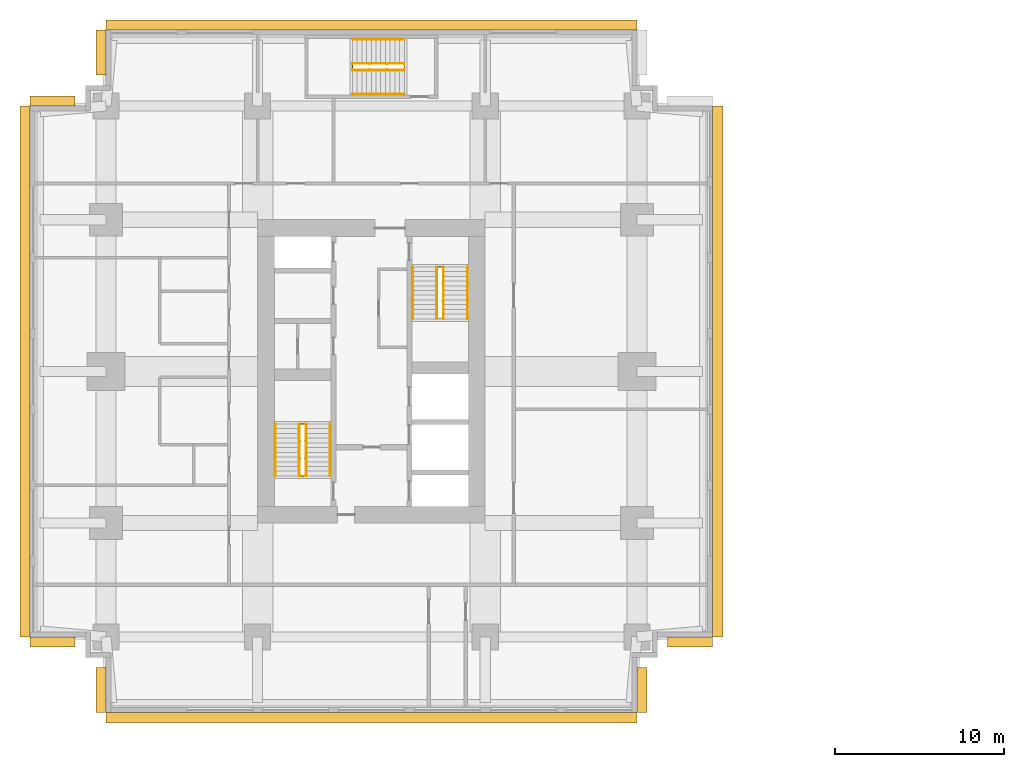
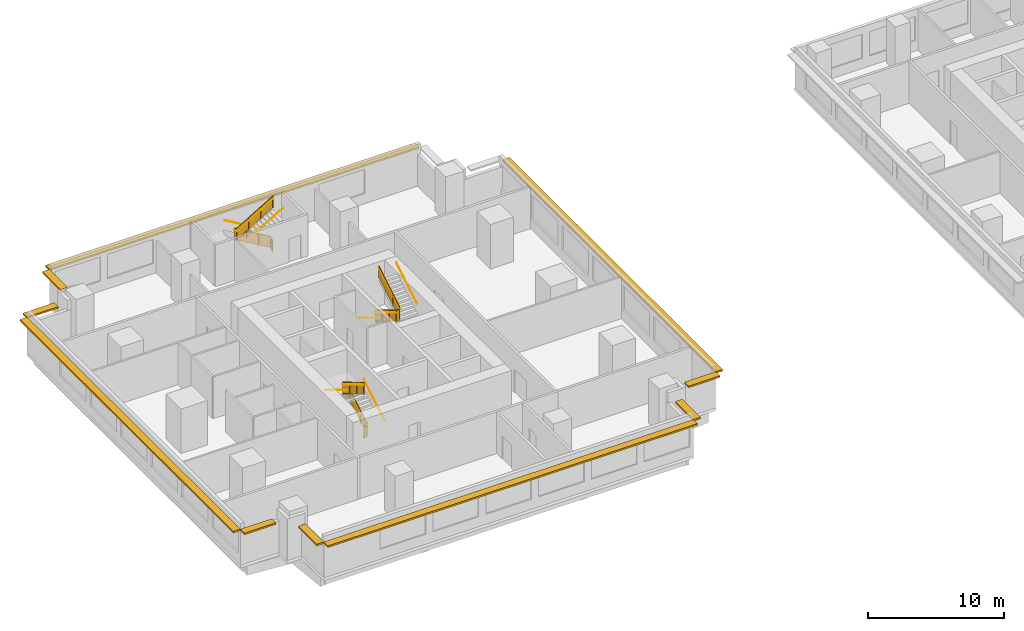
# One storey, part 10 of 11: 15 railings, 10 shading devices.
"""IFC4 building model written with IfcOpenShell, lengths in metres."""

import ifcopenshell
import ifcopenshell.guid

model = None  # the IFC model being written
_history = None  # IfcOwnerHistory: only IFC2X3 demands one
_inside = {}  # id of a spatial element -> (the spatial element, [elements in it])
_under = {}  # id of a project, library or spatial element -> (it, [spatial elements below it])
_declared = {}  # id of a project -> (the project, [libraries it declares])
_typed = {}  # id of a type object -> (the type object, [elements of that type])
_made_of = {}  # id of a material, layer set ... -> (it, [elements and type objects made of it])


def new_model(schema):
    """Start an empty IFC model of exactly this schema.

    Asked for "IFC4X3", IfcOpenShell would pick the latest addendum, in which some entities
    have other attributes; the version numbers below select the first issue.
    IFC2X3 requires an IfcOwnerHistory on every rooted entity: one is made here for all.
    """
    global model, _history
    if schema == "IFC4X3":
        model = ifcopenshell.file(schema_version=(4, 3, 0, 0))
    else:
        model = ifcopenshell.file(schema=schema)
    _inside.clear()
    _under.clear()
    _declared.clear()
    _typed.clear()
    _made_of.clear()
    _history = None
    if model.schema == "IFC2X3":
        org = make("IfcOrganization", Name="unknown")
        user = make(
            "IfcPersonAndOrganization",
            ThePerson=make("IfcPerson", FamilyName="unknown"),
            TheOrganization=org,
        )
        app = make(
            "IfcApplication",
            ApplicationDeveloper=org,
            Version="unknown",
            ApplicationFullName="unknown",
            ApplicationIdentifier="unknown",
        )
        _history = make(
            "IfcOwnerHistory",
            OwningUser=user,
            OwningApplication=app,
            ChangeAction="ADDED",
            CreationDate=0,
        )
    return model


def make(cls, **values):
    """One entity of the class cls with the attributes given. An attribute that is None is left unset."""
    return model.create_entity(
        cls, **{name: value for name, value in values.items() if value is not None}
    )


def rooted(cls, **values):
    """An entity with a GlobalId (a new one), such as an element, a storey or a relation."""
    return make(cls, GlobalId=ifcopenshell.guid.new(), OwnerHistory=_history, **values)


def si_unit(unit_type, name, prefix=None):
    """IfcSIUnit, for example si_unit("LENGTHUNIT", "METRE", prefix="MILLI")."""
    return make("IfcSIUnit", UnitType=unit_type, Prefix=prefix, Name=name)


def assignment(units):
    """IfcUnitAssignment: the units of a project."""
    return None if units is None else make("IfcUnitAssignment", Units=units)


def point(xyz):
    """IfcCartesianPoint."""
    return None if xyz is None else make("IfcCartesianPoint", Coordinates=xyz)


def direction(xyz):
    """IfcDirection."""
    return None if xyz is None else make("IfcDirection", DirectionRatios=xyz)


def frame(location, z_axis=None, x_axis=None):
    """IfcAxis2Placement3D, a coordinate frame: its origin and axes. An axis left out is left unset."""
    return make(
        "IfcAxis2Placement3D",
        Location=point(location),
        Axis=direction(z_axis),
        RefDirection=direction(x_axis),
    )


def frame_2d(location, x_axis=None):
    """IfcAxis2Placement2D, a coordinate frame in the plane: its origin and x axis."""
    return make(
        "IfcAxis2Placement2D", Location=point(location), RefDirection=direction(x_axis)
    )


def origin():
    """The frame at (0, 0, 0) with its axes left unset."""
    return frame((0.0, 0.0, 0.0))


def origin_2d():
    """The frame at (0, 0) in the plane with its x axis left unset."""
    return frame_2d((0.0, 0.0))


def place(relative_to, where):
    """IfcLocalPlacement: puts the frame where relative to a parent placement (None: the world)."""
    return make(
        "IfcLocalPlacement", PlacementRelTo=relative_to, RelativePlacement=where
    )


def context(
    kind, dimensions, precision=None, world=None, true_north=None, identifier=None
):
    """IfcGeometricRepresentationContext, for example the 3D "Model" context."""
    return make(
        "IfcGeometricRepresentationContext",
        ContextIdentifier=identifier,
        ContextType=kind,
        CoordinateSpaceDimension=dimensions,
        Precision=precision,
        WorldCoordinateSystem=world,
        TrueNorth=true_north,
    )


def subcontext(parent, identifier, kind, view, scale=None):
    """IfcGeometricRepresentationSubContext, for example "Body" below "Model"."""
    return make(
        "IfcGeometricRepresentationSubContext",
        ContextIdentifier=identifier,
        ContextType=kind,
        ParentContext=parent,
        TargetScale=scale,
        TargetView=view,
    )


def project(units=None, contexts=None):
    """IfcProject with its units and contexts."""
    return rooted(
        "IfcProject",
        Name="project",
        RepresentationContexts=contexts,
        UnitsInContext=assignment(units),
    )


def spatial(cls, under=None, at=None, **own):
    """A site, building, storey or space (cls), placed at a placement, below another one or the project."""
    s = rooted(cls, ObjectPlacement=at, **own)
    if under is not None:
        _under.setdefault(under.id(), (under, []))[1].append(s)
    return s


def polyline(points):
    """IfcPolyline through the points."""
    return make("IfcPolyline", Points=[point(p) for p in points])


def profile(cls, at=None, kind="AREA", **sizes):
    """A parametric profile (cls). Its sizes go by their IFC names, for example OverallWidth=200.0."""
    return make(cls, ProfileType=kind, Position=at, **sizes)


def rectangle(**sizes):
    """IfcRectangleProfileDef."""
    return profile("IfcRectangleProfileDef", **sizes)


def circle(**sizes):
    """IfcCircleProfileDef."""
    return profile("IfcCircleProfileDef", **sizes)


def outline(outer, holes=None, kind="AREA"):
    """IfcArbitraryClosedProfileDef: a profile drawn as a closed curve; with holes, ...WithVoids."""
    if holes is None:
        return make("IfcArbitraryClosedProfileDef", ProfileType=kind, OuterCurve=outer)
    return make(
        "IfcArbitraryProfileDefWithVoids",
        ProfileType=kind,
        OuterCurve=outer,
        InnerCurves=holes,
    )


def extrude(swept, where, along, depth):
    """IfcExtrudedAreaSolid: the profile swept, set in the frame where, extruded along a direction by depth."""
    return make(
        "IfcExtrudedAreaSolid",
        SweptArea=swept,
        Position=where,
        ExtrudedDirection=direction(along),
        Depth=depth,
    )


def shape(context_of_items, identifier, shape_type, items):
    """IfcShapeRepresentation: the items that make up one representation, for example the "Body"."""
    return make(
        "IfcShapeRepresentation",
        ContextOfItems=context_of_items,
        RepresentationIdentifier=identifier,
        RepresentationType=shape_type,
        Items=items,
    )


def material(Name=None, Category=None):
    """IfcMaterial."""
    return make("IfcMaterial", Name=Name, Category=Category)


def layer(
    of_material, thickness, ventilated=None, Name=None, Category=None, Priority=None
):
    """IfcMaterialLayer: one layer of a wall or slab, of a material (None: an air gap)."""
    return make(
        "IfcMaterialLayer",
        Material=of_material,
        LayerThickness=thickness,
        IsVentilated=ventilated,
        Name=Name,
        Category=Category,
        Priority=Priority,
    )


def layer_set(layers, Name=None):
    """IfcMaterialLayerSet."""
    return make("IfcMaterialLayerSet", MaterialLayers=layers, LayerSetName=Name)


def made_of(thing, what):
    """Note that an element or type object is made of a material, layer set ...; save() writes the relation."""
    if what is not None:
        _made_of.setdefault(what.id(), (what, []))[1].append(thing)
    return thing


def type_object(cls, material=None, **own):
    """A type object (cls), such as IfcWallType, which elements share."""
    return made_of(rooted(cls, **own), material)


def element(
    cls,
    number,
    at=None,
    inside=None,
    cuts=None,
    type_object=None,
    material=None,
    context=None,
    identifier="Body",
    shape_type=None,
    held_by="IfcProductDefinitionShape",
    body=None,
    shapes=None,
    **own,
):
    """One element of the class cls, such as IfcWall. Its Tag is "e" and its number.

    at: its placement. inside: the storey or other place that contains it. cuts: it is an
    opening in that element (IfcRelVoidsElement). A single representation is given by context,
    identifier, shape_type and body (its items); several are given by shapes. held_by: the class
    of the entity that holds the representations. save() writes the other relations.
    """
    e = rooted(cls, Tag="e%d" % number, ObjectPlacement=at, **own)
    if body is not None:
        shapes = [shape(context, identifier, shape_type, body)]
    if shapes is not None:
        e.Representation = make(held_by, Representations=shapes)
    if inside is not None:
        _inside.setdefault(inside.id(), (inside, []))[1].append(e)
    if cuts is not None:
        rooted(
            "IfcRelVoidsElement", RelatingBuildingElement=cuts, RelatedOpeningElement=e
        )
    if type_object is not None:
        _typed.setdefault(type_object.id(), (type_object, []))[1].append(e)
    return made_of(e, material)


def aggregate(whole, parts):
    """IfcRelAggregates: a whole, such as a stair, and the parts it consists of."""
    return rooted("IfcRelAggregates", RelatingObject=whole, RelatedObjects=parts)


def save(model, path):
    """Write the relations noted so far, then the file.

    IfcRelAggregates (storeys below a building ...), IfcRelContainedInSpatialStructure (elements
    in a storey), IfcRelDefinesByType, IfcRelAssociatesMaterial and IfcRelDeclares: one each for
    every whole, place, type object, material and project.
    """
    for whole, parts in _under.values():
        aggregate(whole, parts)
    for where, things in _inside.values():
        rooted(
            "IfcRelContainedInSpatialStructure",
            RelatedElements=things,
            RelatingStructure=where,
        )
    for kind, things in _typed.values():
        rooted("IfcRelDefinesByType", RelatedObjects=things, RelatingType=kind)
    for what, things in _made_of.values():
        rooted("IfcRelAssociatesMaterial", RelatedObjects=things, RelatingMaterial=what)
    for by, libraries in _declared.values():
        rooted("IfcRelDeclares", RelatingContext=by, RelatedDefinitions=libraries)
    model.write(path)


model = new_model("IFC4")

# Units and contexts
model_context = context("Model", 3, precision=1e-05, world=origin(), true_north=direction((0.0, 1.0)))
body_context = subcontext(model_context, "Body", "Model", "MODEL_VIEW")
ifc_project = project(units=[si_unit("LENGTHUNIT", "METRE"), si_unit("AREAUNIT", "SQUARE_METRE"), si_unit("VOLUMEUNIT", "CUBIC_METRE"), si_unit("PLANEANGLEUNIT", "RADIAN"), si_unit("MASSUNIT", "GRAM", prefix="KILO")], contexts=[model_context])

# Site, building, storey
site_placement = place(None, origin())
site = spatial("IfcSite", under=ifc_project, at=site_placement, CompositionType="ELEMENT")
building_placement = place(site_placement, origin())
building = spatial("IfcBuilding", under=site, at=building_placement, Name="Namib Vertical Campus", CompositionType="ELEMENT")
storey_placement = place(building_placement, frame((0.0, 0.0, 209.0)))
storey = spatial("IfcBuildingStorey", under=building, at=storey_placement, Name="L49", CompositionType="ELEMENT", Elevation=209.0)

# Railings
ifc_material_1 = material(Name="Steel handrail", Category="steel")
railing_type_1 = type_object("IfcRailingType", Name="Handrail 900", PredefinedType="HANDRAIL", material=ifc_material_1)
railing_1_placement = place(storey_placement, frame((17.800048828125, 14.050048828125, 0.166748046875)))
element("IfcRailing", 1, at=railing_1_placement, inside=storey, type_object=railing_type_1, Name="Handrail HR1 A-S1 L49 1", PredefinedType="HANDRAIL", context=body_context, shape_type="SweptSolid", body=[
    extrude(circle(Radius=0.02392578125, at=origin_2d()), frame((0.0, 0.0, 0.8759765625), z_axis=(0.0, 0.859290745958, 0.51148745235), x_axis=(-1.0, 0.0, 0.0)), (0.0, 0.0, 1.0), 3.584228515625),
    extrude(circle(Radius=0.008056640625, at=origin_2d()), frame((0.0, 0.0, 0.8759765625), z_axis=(1.0, 0.0, 0.0), x_axis=(0.0, 0.0, 1.0)), (0.0, 0.0, 1.0), 0.050048828125),
    extrude(circle(Radius=0.008056640625, at=origin_2d()), frame((0.0, 1.026611328125, 1.48681640625), z_axis=(1.0, 0.0, 0.0), x_axis=(0.0, 0.0, 1.0)), (0.0, 0.0, 1.0), 0.050048828125),
    extrude(circle(Radius=0.008056640625, at=origin_2d()), frame((0.0, 2.05322265625, 2.09814453125), z_axis=(1.0, 0.0, 0.0), x_axis=(0.0, 0.0, 1.0)), (0.0, 0.0, 1.0), 0.050048828125),
    extrude(circle(Radius=0.008056640625, at=origin_2d()), frame((0.0, 3.079833984375, 2.708984375), z_axis=(1.0, 0.0, 0.0), x_axis=(0.0, 0.0, 1.0)), (0.0, 0.0, 1.0), 0.050048828125),
])
railing_2_placement = place(storey_placement, frame((14.550048828125, 17.1298828125, 2.166748046875)))
element("IfcRailing", 2, at=railing_2_placement, inside=storey, type_object=railing_type_1, Name="Handrail HR1 A-S1 L49 2", PredefinedType="HANDRAIL", context=body_context, shape_type="SweptSolid", body=[
    extrude(circle(Radius=0.02392578125, at=origin_2d()), frame((0.0, 0.0, 0.8759765625), z_axis=(0.0, -0.859290745958, 0.51148745235), x_axis=(1.0, 0.0, 0.0)), (0.0, 0.0, 1.0), 3.584228515625),
    extrude(circle(Radius=0.008056640625, at=origin_2d()), frame((0.0, 0.0, 0.8759765625), z_axis=(-1.0, 0.0, 0.0), x_axis=(0.0, 0.0, 1.0)), (0.0, 0.0, 1.0), 0.050048828125),
    extrude(circle(Radius=0.008056640625, at=origin_2d()), frame((0.0, -1.026611328125, 1.48681640625), z_axis=(-1.0, 0.0, 0.0), x_axis=(0.0, 0.0, 1.0)), (0.0, 0.0, 1.0), 0.050048828125),
    extrude(circle(Radius=0.008056640625, at=origin_2d()), frame((0.0, -2.05322265625, 2.09814453125), z_axis=(-1.0, 0.0, 0.0), x_axis=(0.0, 0.0, 1.0)), (0.0, 0.0, 1.0), 0.050048828125),
    extrude(circle(Radius=0.008056640625, at=origin_2d()), frame((0.0, -3.079833984375, 2.708984375), z_axis=(-1.0, 0.0, 0.0), x_axis=(0.0, 0.0, 1.0)), (0.0, 0.0, 1.0), 0.050048828125),
])
railing_3_placement = place(storey_placement, frame((16.375, 14.050048828125, 0.166748046875)))
element("IfcRailing", 3, at=railing_3_placement, inside=storey, type_object=railing_type_1, Name="Handrail HR1 A-S1 L49 1 at the well", PredefinedType="HANDRAIL", context=body_context, shape_type="SweptSolid", body=[
    extrude(circle(Radius=0.02392578125, at=origin_2d()), frame((0.0, 0.0, 0.8759765625), z_axis=(0.0, 0.859290745958, 0.51148745235), x_axis=(-1.0, 0.0, 0.0)), (0.0, 0.0, 1.0), 3.584228515625),
    extrude(circle(Radius=0.008056640625, at=origin_2d()), frame((0.0, 0.0, 0.8759765625), z_axis=(-1.0, 0.0, 0.0), x_axis=(0.0, 0.0, 1.0)), (0.0, 0.0, 1.0), 0.0400390625),
    extrude(circle(Radius=0.008056640625, at=origin_2d()), frame((0.0, 1.026611328125, 1.48681640625), z_axis=(-1.0, 0.0, 0.0), x_axis=(0.0, 0.0, 1.0)), (0.0, 0.0, 1.0), 0.0400390625),
    extrude(circle(Radius=0.008056640625, at=origin_2d()), frame((0.0, 2.05322265625, 2.09814453125), z_axis=(-1.0, 0.0, 0.0), x_axis=(0.0, 0.0, 1.0)), (0.0, 0.0, 1.0), 0.0400390625),
    extrude(circle(Radius=0.008056640625, at=origin_2d()), frame((0.0, 3.079833984375, 2.708984375), z_axis=(-1.0, 0.0, 0.0), x_axis=(0.0, 0.0, 1.0)), (0.0, 0.0, 1.0), 0.0400390625),
])
railing_4_placement = place(storey_placement, frame((15.97509765625, 17.1298828125, 2.166748046875)))
element("IfcRailing", 4, at=railing_4_placement, inside=storey, type_object=railing_type_1, Name="Handrail HR1 A-S1 L49 2 at the well", PredefinedType="HANDRAIL", context=body_context, shape_type="SweptSolid", body=[
    extrude(circle(Radius=0.02392578125, at=origin_2d()), frame((0.0, 0.0, 0.8759765625), z_axis=(0.0, -0.859290745958, 0.51148745235), x_axis=(1.0, 0.0, 0.0)), (0.0, 0.0, 1.0), 3.584228515625),
    extrude(circle(Radius=0.008056640625, at=origin_2d()), frame((0.0, 0.0, 0.8759765625), z_axis=(1.0, 0.0, 0.0), x_axis=(0.0, 0.0, 1.0)), (0.0, 0.0, 1.0), 0.0400390625),
    extrude(circle(Radius=0.008056640625, at=origin_2d()), frame((0.0, -1.026611328125, 1.48681640625), z_axis=(1.0, 0.0, 0.0), x_axis=(0.0, 0.0, 1.0)), (0.0, 0.0, 1.0), 0.0400390625),
    extrude(circle(Radius=0.008056640625, at=origin_2d()), frame((0.0, -2.05322265625, 2.09814453125), z_axis=(1.0, 0.0, 0.0), x_axis=(0.0, 0.0, 1.0)), (0.0, 0.0, 1.0), 0.0400390625),
    extrude(circle(Radius=0.008056640625, at=origin_2d()), frame((0.0, -3.079833984375, 2.708984375), z_axis=(1.0, 0.0, 0.0), x_axis=(0.0, 0.0, 1.0)), (0.0, 0.0, 1.0), 0.0400390625),
])
railing_5_placement = place(storey_placement, frame((22.699951171875, 26.449951171875, 0.166748046875)))
element("IfcRailing", 5, at=railing_5_placement, inside=storey, type_object=railing_type_1, Name="Handrail HR1 A-S2 L49 1", PredefinedType="HANDRAIL", context=body_context, shape_type="SweptSolid", body=[
    extrude(circle(Radius=0.02392578125, at=origin_2d()), frame((0.0, 0.0, 0.8759765625), z_axis=(0.0, -0.859290745958, 0.51148745235), x_axis=(1.0, 0.0, 0.0)), (0.0, 0.0, 1.0), 3.584228515625),
    extrude(circle(Radius=0.008056640625, at=origin_2d()), frame((0.0, 0.0, 0.8759765625), z_axis=(-1.0, 0.0, 0.0), x_axis=(0.0, 0.0, 1.0)), (0.0, 0.0, 1.0), 0.050048828125),
    extrude(circle(Radius=0.008056640625, at=origin_2d()), frame((0.0, -1.026611328125, 1.48681640625), z_axis=(-1.0, 0.0, 0.0), x_axis=(0.0, 0.0, 1.0)), (0.0, 0.0, 1.0), 0.050048828125),
    extrude(circle(Radius=0.008056640625, at=origin_2d()), frame((0.0, -2.05322265625, 2.09814453125), z_axis=(-1.0, 0.0, 0.0), x_axis=(0.0, 0.0, 1.0)), (0.0, 0.0, 1.0), 0.050048828125),
    extrude(circle(Radius=0.008056640625, at=origin_2d()), frame((0.0, -3.079833984375, 2.708984375), z_axis=(-1.0, 0.0, 0.0), x_axis=(0.0, 0.0, 1.0)), (0.0, 0.0, 1.0), 0.050048828125),
])
railing_6_placement = place(storey_placement, frame((25.949951171875, 23.3701171875, 2.166748046875)))
element("IfcRailing", 6, at=railing_6_placement, inside=storey, type_object=railing_type_1, Name="Handrail HR1 A-S2 L49 2", PredefinedType="HANDRAIL", context=body_context, shape_type="SweptSolid", body=[
    extrude(circle(Radius=0.02392578125, at=origin_2d()), frame((0.0, 0.0, 0.8759765625), z_axis=(0.0, 0.859290745958, 0.51148745235), x_axis=(-1.0, 0.0, 0.0)), (0.0, 0.0, 1.0), 3.584228515625),
    extrude(circle(Radius=0.008056640625, at=origin_2d()), frame((0.0, 0.0, 0.8759765625), z_axis=(1.0, 0.0, 0.0), x_axis=(0.0, 0.0, 1.0)), (0.0, 0.0, 1.0), 0.050048828125),
    extrude(circle(Radius=0.008056640625, at=origin_2d()), frame((0.0, 1.026611328125, 1.48681640625), z_axis=(1.0, 0.0, 0.0), x_axis=(0.0, 0.0, 1.0)), (0.0, 0.0, 1.0), 0.050048828125),
    extrude(circle(Radius=0.008056640625, at=origin_2d()), frame((0.0, 2.05322265625, 2.09814453125), z_axis=(1.0, 0.0, 0.0), x_axis=(0.0, 0.0, 1.0)), (0.0, 0.0, 1.0), 0.050048828125),
    extrude(circle(Radius=0.008056640625, at=origin_2d()), frame((0.0, 3.079833984375, 2.708984375), z_axis=(1.0, 0.0, 0.0), x_axis=(0.0, 0.0, 1.0)), (0.0, 0.0, 1.0), 0.050048828125),
])
railing_7_placement = place(storey_placement, frame((24.125, 26.449951171875, 0.166748046875)))
element("IfcRailing", 7, at=railing_7_placement, inside=storey, type_object=railing_type_1, Name="Handrail HR1 A-S2 L49 1 at the well", PredefinedType="HANDRAIL", context=body_context, shape_type="SweptSolid", body=[
    extrude(circle(Radius=0.02392578125, at=origin_2d()), frame((0.0, 0.0, 0.8759765625), z_axis=(0.0, -0.859290745958, 0.51148745235), x_axis=(1.0, 0.0, 0.0)), (0.0, 0.0, 1.0), 3.584228515625),
    extrude(circle(Radius=0.008056640625, at=origin_2d()), frame((0.0, 0.0, 0.8759765625), z_axis=(1.0, 0.0, 0.0), x_axis=(0.0, 0.0, 1.0)), (0.0, 0.0, 1.0), 0.0400390625),
    extrude(circle(Radius=0.008056640625, at=origin_2d()), frame((0.0, -1.026611328125, 1.48681640625), z_axis=(1.0, 0.0, 0.0), x_axis=(0.0, 0.0, 1.0)), (0.0, 0.0, 1.0), 0.0400390625),
    extrude(circle(Radius=0.008056640625, at=origin_2d()), frame((0.0, -2.05322265625, 2.09814453125), z_axis=(1.0, 0.0, 0.0), x_axis=(0.0, 0.0, 1.0)), (0.0, 0.0, 1.0), 0.0400390625),
    extrude(circle(Radius=0.008056640625, at=origin_2d()), frame((0.0, -3.079833984375, 2.708984375), z_axis=(1.0, 0.0, 0.0), x_axis=(0.0, 0.0, 1.0)), (0.0, 0.0, 1.0), 0.0400390625),
])
railing_8_placement = place(storey_placement, frame((24.52490234375, 23.3701171875, 2.166748046875)))
element("IfcRailing", 8, at=railing_8_placement, inside=storey, type_object=railing_type_1, Name="Handrail HR1 A-S2 L49 2 at the well", PredefinedType="HANDRAIL", context=body_context, shape_type="SweptSolid", body=[
    extrude(circle(Radius=0.02392578125, at=origin_2d()), frame((0.0, 0.0, 0.8759765625), z_axis=(0.0, 0.859290745958, 0.51148745235), x_axis=(-1.0, 0.0, 0.0)), (0.0, 0.0, 1.0), 3.584228515625),
    extrude(circle(Radius=0.008056640625, at=origin_2d()), frame((0.0, 0.0, 0.8759765625), z_axis=(-1.0, 0.0, 0.0), x_axis=(0.0, 0.0, 1.0)), (0.0, 0.0, 1.0), 0.0400390625),
    extrude(circle(Radius=0.008056640625, at=origin_2d()), frame((0.0, 1.026611328125, 1.48681640625), z_axis=(-1.0, 0.0, 0.0), x_axis=(0.0, 0.0, 1.0)), (0.0, 0.0, 1.0), 0.0400390625),
    extrude(circle(Radius=0.008056640625, at=origin_2d()), frame((0.0, 2.05322265625, 2.09814453125), z_axis=(-1.0, 0.0, 0.0), x_axis=(0.0, 0.0, 1.0)), (0.0, 0.0, 1.0), 0.0400390625),
    extrude(circle(Radius=0.008056640625, at=origin_2d()), frame((0.0, 3.079833984375, 2.708984375), z_axis=(-1.0, 0.0, 0.0), x_axis=(0.0, 0.0, 1.0)), (0.0, 0.0, 1.0), 0.0400390625),
])
railing_9_placement = place(storey_placement, frame((22.199951171875, 39.949951171875, 0.166748046875)))
element("IfcRailing", 9, at=railing_9_placement, inside=storey, type_object=railing_type_1, Name="Handrail HR1 A-S3 L49 1", PredefinedType="HANDRAIL", context=body_context, shape_type="SweptSolid", body=[
    extrude(circle(Radius=0.02392578125, at=origin_2d()), frame((0.0, 0.0, 0.8759765625), z_axis=(-0.859290745958, 0.0, 0.51148745235), x_axis=(0.0, -1.0, 0.0)), (0.0, 0.0, 1.0), 3.584228515625),
    extrude(circle(Radius=0.008056640625, at=origin_2d()), frame((0.0, 0.0, 0.8759765625), z_axis=(0.0, 1.0, 0.0), x_axis=(0.0, 0.0, 1.0)), (0.0, 0.0, 1.0), 0.050048828125),
    extrude(circle(Radius=0.008056640625, at=origin_2d()), frame((-1.026611328125, 0.0, 1.48681640625), z_axis=(0.0, 1.0, 0.0), x_axis=(0.0, 0.0, 1.0)), (0.0, 0.0, 1.0), 0.050048828125),
    extrude(circle(Radius=0.008056640625, at=origin_2d()), frame((-2.05322265625, 0.0, 2.09814453125), z_axis=(0.0, 1.0, 0.0), x_axis=(0.0, 0.0, 1.0)), (0.0, 0.0, 1.0), 0.050048828125),
    extrude(circle(Radius=0.008056640625, at=origin_2d()), frame((-3.079833984375, 0.0, 2.708984375), z_axis=(0.0, 1.0, 0.0), x_axis=(0.0, 0.0, 1.0)), (0.0, 0.0, 1.0), 0.050048828125),
])
railing_10_placement = place(storey_placement, frame((19.1201171875, 36.699951171875, 2.166748046875)))
element("IfcRailing", 10, at=railing_10_placement, inside=storey, type_object=railing_type_1, Name="Handrail HR1 A-S3 L49 2", PredefinedType="HANDRAIL", context=body_context, shape_type="SweptSolid", body=[
    extrude(circle(Radius=0.02392578125, at=origin_2d()), frame((0.0, 0.0, 0.8759765625), z_axis=(0.859290745958, 0.0, 0.51148745235), x_axis=(0.0, 1.0, 0.0)), (0.0, 0.0, 1.0), 3.584228515625),
    extrude(circle(Radius=0.008056640625, at=origin_2d()), frame((0.0, 0.0, 0.8759765625), z_axis=(0.0, -1.0, 0.0), x_axis=(0.0, 0.0, 1.0)), (0.0, 0.0, 1.0), 0.050048828125),
    extrude(circle(Radius=0.008056640625, at=origin_2d()), frame((1.026611328125, 0.0, 1.48681640625), z_axis=(0.0, -1.0, 0.0), x_axis=(0.0, 0.0, 1.0)), (0.0, 0.0, 1.0), 0.050048828125),
    extrude(circle(Radius=0.008056640625, at=origin_2d()), frame((2.05322265625, 0.0, 2.09814453125), z_axis=(0.0, -1.0, 0.0), x_axis=(0.0, 0.0, 1.0)), (0.0, 0.0, 1.0), 0.050048828125),
    extrude(circle(Radius=0.008056640625, at=origin_2d()), frame((3.079833984375, 0.0, 2.708984375), z_axis=(0.0, -1.0, 0.0), x_axis=(0.0, 0.0, 1.0)), (0.0, 0.0, 1.0), 0.050048828125),
])
railing_11_placement = place(storey_placement, frame((22.199951171875, 38.52490234375, 0.166748046875)))
element("IfcRailing", 11, at=railing_11_placement, inside=storey, type_object=railing_type_1, Name="Handrail HR1 A-S3 L49 1 at the well", PredefinedType="HANDRAIL", context=body_context, shape_type="SweptSolid", body=[
    extrude(circle(Radius=0.02392578125, at=origin_2d()), frame((0.0, 0.0, 0.8759765625), z_axis=(-0.859290745958, 0.0, 0.51148745235), x_axis=(0.0, -1.0, 0.0)), (0.0, 0.0, 1.0), 3.584228515625),
    extrude(circle(Radius=0.008056640625, at=origin_2d()), frame((0.0, 0.0, 0.8759765625), z_axis=(0.0, -1.0, 0.0), x_axis=(0.0, 0.0, 1.0)), (0.0, 0.0, 1.0), 0.0400390625),
    extrude(circle(Radius=0.008056640625, at=origin_2d()), frame((-1.026611328125, 0.0, 1.48681640625), z_axis=(0.0, -1.0, 0.0), x_axis=(0.0, 0.0, 1.0)), (0.0, 0.0, 1.0), 0.0400390625),
    extrude(circle(Radius=0.008056640625, at=origin_2d()), frame((-2.05322265625, 0.0, 2.09814453125), z_axis=(0.0, -1.0, 0.0), x_axis=(0.0, 0.0, 1.0)), (0.0, 0.0, 1.0), 0.0400390625),
    extrude(circle(Radius=0.008056640625, at=origin_2d()), frame((-3.079833984375, 0.0, 2.708984375), z_axis=(0.0, -1.0, 0.0), x_axis=(0.0, 0.0, 1.0)), (0.0, 0.0, 1.0), 0.0400390625),
])
railing_12_placement = place(storey_placement, frame((19.1201171875, 38.125, 2.166748046875)))
element("IfcRailing", 12, at=railing_12_placement, inside=storey, type_object=railing_type_1, Name="Handrail HR1 A-S3 L49 2 at the well", PredefinedType="HANDRAIL", context=body_context, shape_type="SweptSolid", body=[
    extrude(circle(Radius=0.02392578125, at=origin_2d()), frame((0.0, 0.0, 0.8759765625), z_axis=(0.859290745958, 0.0, 0.51148745235), x_axis=(0.0, 1.0, 0.0)), (0.0, 0.0, 1.0), 3.584228515625),
    extrude(circle(Radius=0.008056640625, at=origin_2d()), frame((0.0, 0.0, 0.8759765625), z_axis=(0.0, 1.0, 0.0), x_axis=(0.0, 0.0, 1.0)), (0.0, 0.0, 1.0), 0.0400390625),
    extrude(circle(Radius=0.008056640625, at=origin_2d()), frame((1.026611328125, 0.0, 1.48681640625), z_axis=(0.0, 1.0, 0.0), x_axis=(0.0, 0.0, 1.0)), (0.0, 0.0, 1.0), 0.0400390625),
    extrude(circle(Radius=0.008056640625, at=origin_2d()), frame((2.05322265625, 0.0, 2.09814453125), z_axis=(0.0, 1.0, 0.0), x_axis=(0.0, 0.0, 1.0)), (0.0, 0.0, 1.0), 0.0400390625),
    extrude(circle(Radius=0.008056640625, at=origin_2d()), frame((3.079833984375, 0.0, 2.708984375), z_axis=(0.0, 1.0, 0.0), x_axis=(0.0, 0.0, 1.0)), (0.0, 0.0, 1.0), 0.0400390625),
])
ifc_material_2 = material(Name="Steel balustrade", Category="steel")
railing_type_2 = type_object("IfcRailingType", Name="Stair guard 1100", PredefinedType="GUARDRAIL", material=ifc_material_2)
railing_13_placement = place(storey_placement, frame((16.02490234375, 14.050048828125, 0.0)))
element("IfcRailing", 13, at=railing_13_placement, inside=storey, type_object=railing_type_2, Name="Stair guard GR1 A-S1 L49", PredefinedType="GUARDRAIL", context=body_context, shape_type="SweptSolid", body=[
    extrude(circle(Radius=0.02392578125, at=origin_2d()), frame((0.0, 0.0, 1.076171875), z_axis=(1.0, 0.0, 0.0), x_axis=(0.0, 1.0, 0.0)), (0.0, 0.0, 1.0), 0.300048828125),
    extrude(outline(polyline([(0.02099609375, 0.050048828125), (0.279052734375, 0.050048828125), (0.279052734375, 1.052001953125), (0.02099609375, 1.052001953125), (0.02099609375, 0.050048828125)])), frame((0.0, 0.010009765625, 0.0), z_axis=(0.0, -1.0, 0.0), x_axis=(1.0, 0.0, 0.0)), (0.0, 0.0, 1.0), 0.02001953125),
    extrude(circle(Radius=0.02392578125, at=origin_2d()), frame((0.300048828125, 0.0, 1.076171875), z_axis=(0.0, 0.0, 1.0), x_axis=(1.0, 0.0, 0.0)), (0.0, 0.0, 1.0), 0.166748046875),
    extrude(circle(Radius=0.02392578125, at=origin_2d()), frame((0.300048828125, 0.0, 1.24267578125), z_axis=(0.0, 0.859290745958, 0.51148745235), x_axis=(-1.0, 0.0, 0.0)), (0.0, 0.0, 1.0), 3.584228515625),
    extrude(outline(polyline([(0.02099609375, 0.0625), (3.058837890625, 1.870849609375), (3.058837890625, 2.872802734375), (0.02099609375, 1.064453125), (0.02099609375, 0.0625)])), frame((0.2900390625, 0.0, 0.166748046875), z_axis=(1.0, 0.0, 0.0), x_axis=(0.0, 1.0, 0.0)), (0.0, 0.0, 1.0), 0.02001953125),
    extrude(circle(Radius=0.02392578125, at=origin_2d()), frame((0.300048828125, 3.079833984375, 3.076171875), z_axis=(-1.0, 0.0, 0.0), x_axis=(0.0, -1.0, 0.0)), (0.0, 0.0, 1.0), 0.300048828125),
    extrude(outline(polyline([(0.02099609375, 0.050048828125), (0.279052734375, 0.050048828125), (0.279052734375, 1.052001953125), (0.02099609375, 1.052001953125), (0.02099609375, 0.050048828125)])), frame((0.300048828125, 3.06982421875, 2.0), z_axis=(0.0, 1.0, 0.0), x_axis=(-1.0, 0.0, 0.0)), (0.0, 0.0, 1.0), 0.02001953125),
    extrude(circle(Radius=0.02392578125, at=origin_2d()), frame((0.0, 3.079833984375, 3.076171875), z_axis=(0.0, 0.0, 1.0), x_axis=(1.0, 0.0, 0.0)), (0.0, 0.0, 1.0), 0.166748046875),
    extrude(circle(Radius=0.02392578125, at=origin_2d()), frame((0.0, 3.079833984375, 3.24267578125), z_axis=(0.0, -0.859290745958, 0.51148745235), x_axis=(1.0, 0.0, 0.0)), (0.0, 0.0, 1.0), 3.584228515625),
    extrude(outline(polyline([(0.02099609375, 0.0625), (3.058837890625, 1.870849609375), (3.058837890625, 2.872802734375), (0.02099609375, 1.064453125), (0.02099609375, 0.0625)])), frame((0.010009765625, 3.079833984375, 2.166748046875), z_axis=(-1.0, 0.0, 0.0), x_axis=(0.0, -1.0, 0.0)), (0.0, 0.0, 1.0), 0.02001953125),
    extrude(circle(Radius=0.02392578125, at=origin_2d()), frame((0.0, 0.0, 5.076171875), z_axis=(0.0, -1.0, 0.0), x_axis=(1.0, 0.0, 0.0)), (0.0, 0.0, 1.0), 0.050048828125),
    extrude(outline(polyline([(0.02099609375, 0.050048828125), (0.029052734375, 0.050048828125), (0.029052734375, 1.052001953125), (0.02099609375, 1.052001953125), (0.02099609375, 0.050048828125)])), frame((0.010009765625, 0.0, 4.0), z_axis=(-1.0, 0.0, 0.0), x_axis=(0.0, -1.0, 0.0)), (0.0, 0.0, 1.0), 0.02001953125),
    extrude(circle(Radius=0.02099609375, at=origin_2d()), origin(), (0.0, 0.0, 1.0), 1.052001953125),
    extrude(circle(Radius=0.02099609375, at=origin_2d()), frame((0.300048828125, 0.0, 0.166748046875)), (0.0, 0.0, 1.0), 1.052001953125),
    extrude(circle(Radius=0.02099609375, at=origin_2d()), frame((0.300048828125, 1.026611328125, 0.666748046875)), (0.0, 0.0, 1.0), 1.1630859375),
    extrude(circle(Radius=0.02099609375, at=origin_2d()), frame((0.300048828125, 2.05322265625, 1.33349609375)), (0.0, 0.0, 1.0), 1.107421875),
    extrude(circle(Radius=0.02099609375, at=origin_2d()), frame((0.300048828125, 3.079833984375, 2.0)), (0.0, 0.0, 1.0), 1.052001953125),
    extrude(circle(Radius=0.02099609375, at=origin_2d()), frame((0.0, 3.079833984375, 2.166748046875)), (0.0, 0.0, 1.0), 1.052001953125),
    extrude(circle(Radius=0.02099609375, at=origin_2d()), frame((0.0, 2.05322265625, 2.666748046875)), (0.0, 0.0, 1.0), 1.1630859375),
    extrude(circle(Radius=0.02099609375, at=origin_2d()), frame((0.0, 1.026611328125, 3.33349609375)), (0.0, 0.0, 1.0), 1.107421875),
    extrude(circle(Radius=0.02099609375, at=origin_2d()), frame((0.0, 0.0, 4.0)), (0.0, 0.0, 1.0), 1.052001953125),
    extrude(circle(Radius=0.02099609375, at=origin_2d()), frame((0.0, -0.050048828125, 4.0)), (0.0, 0.0, 1.0), 1.052001953125),
])
railing_14_placement = place(storey_placement, frame((24.47509765625, 26.449951171875, 0.0)))
element("IfcRailing", 14, at=railing_14_placement, inside=storey, type_object=railing_type_2, Name="Stair guard GR1 A-S2 L49", PredefinedType="GUARDRAIL", context=body_context, shape_type="SweptSolid", body=[
    extrude(circle(Radius=0.02392578125, at=origin_2d()), frame((0.0, 0.0, 1.076171875), z_axis=(-1.0, 0.0, 0.0), x_axis=(0.0, -1.0, 0.0)), (0.0, 0.0, 1.0), 0.300048828125),
    extrude(outline(polyline([(0.02099609375, 0.050048828125), (0.279052734375, 0.050048828125), (0.279052734375, 1.052001953125), (0.02099609375, 1.052001953125), (0.02099609375, 0.050048828125)])), frame((0.0, -0.010009765625, 0.0), z_axis=(0.0, 1.0, 0.0), x_axis=(-1.0, 0.0, 0.0)), (0.0, 0.0, 1.0), 0.02001953125),
    extrude(circle(Radius=0.02392578125, at=origin_2d()), frame((-0.300048828125, 0.0, 1.076171875), z_axis=(0.0, 0.0, 1.0), x_axis=(1.0, 0.0, 0.0)), (0.0, 0.0, 1.0), 0.166748046875),
    extrude(circle(Radius=0.02392578125, at=origin_2d()), frame((-0.300048828125, 0.0, 1.24267578125), z_axis=(0.0, -0.859290745958, 0.51148745235), x_axis=(1.0, 0.0, 0.0)), (0.0, 0.0, 1.0), 3.584228515625),
    extrude(outline(polyline([(0.02099609375, 0.0625), (3.058837890625, 1.870849609375), (3.058837890625, 2.872802734375), (0.02099609375, 1.064453125), (0.02099609375, 0.0625)])), frame((-0.2900390625, 0.0, 0.166748046875), z_axis=(-1.0, 0.0, 0.0), x_axis=(0.0, -1.0, 0.0)), (0.0, 0.0, 1.0), 0.02001953125),
    extrude(circle(Radius=0.02392578125, at=origin_2d()), frame((-0.300048828125, -3.079833984375, 3.076171875), z_axis=(1.0, 0.0, 0.0), x_axis=(0.0, 1.0, 0.0)), (0.0, 0.0, 1.0), 0.300048828125),
    extrude(outline(polyline([(0.02099609375, 0.050048828125), (0.279052734375, 0.050048828125), (0.279052734375, 1.052001953125), (0.02099609375, 1.052001953125), (0.02099609375, 0.050048828125)])), frame((-0.300048828125, -3.06982421875, 2.0), z_axis=(0.0, -1.0, 0.0), x_axis=(1.0, 0.0, 0.0)), (0.0, 0.0, 1.0), 0.02001953125),
    extrude(circle(Radius=0.02392578125, at=origin_2d()), frame((0.0, -3.079833984375, 3.076171875), z_axis=(0.0, 0.0, 1.0), x_axis=(1.0, 0.0, 0.0)), (0.0, 0.0, 1.0), 0.166748046875),
    extrude(circle(Radius=0.02392578125, at=origin_2d()), frame((0.0, -3.079833984375, 3.24267578125), z_axis=(0.0, 0.859290745958, 0.51148745235), x_axis=(-1.0, 0.0, 0.0)), (0.0, 0.0, 1.0), 3.584228515625),
    extrude(outline(polyline([(0.02099609375, 0.0625), (3.058837890625, 1.870849609375), (3.058837890625, 2.872802734375), (0.02099609375, 1.064453125), (0.02099609375, 0.0625)])), frame((-0.010009765625, -3.079833984375, 2.166748046875), z_axis=(1.0, 0.0, 0.0), x_axis=(0.0, 1.0, 0.0)), (0.0, 0.0, 1.0), 0.02001953125),
    extrude(circle(Radius=0.02392578125, at=origin_2d()), frame((0.0, 0.0, 5.076171875), z_axis=(0.0, 1.0, 0.0), x_axis=(-1.0, 0.0, 0.0)), (0.0, 0.0, 1.0), 0.050048828125),
    extrude(outline(polyline([(0.02099609375, 0.050048828125), (0.029052734375, 0.050048828125), (0.029052734375, 1.052001953125), (0.02099609375, 1.052001953125), (0.02099609375, 0.050048828125)])), frame((-0.010009765625, 0.0, 4.0), z_axis=(1.0, 0.0, 0.0), x_axis=(0.0, 1.0, 0.0)), (0.0, 0.0, 1.0), 0.02001953125),
    extrude(circle(Radius=0.02099609375, at=origin_2d()), origin(), (0.0, 0.0, 1.0), 1.052001953125),
    extrude(circle(Radius=0.02099609375, at=origin_2d()), frame((-0.300048828125, 0.0, 0.166748046875)), (0.0, 0.0, 1.0), 1.052001953125),
    extrude(circle(Radius=0.02099609375, at=origin_2d()), frame((-0.300048828125, -1.026611328125, 0.666748046875)), (0.0, 0.0, 1.0), 1.1630859375),
    extrude(circle(Radius=0.02099609375, at=origin_2d()), frame((-0.300048828125, -2.05322265625, 1.33349609375)), (0.0, 0.0, 1.0), 1.107421875),
    extrude(circle(Radius=0.02099609375, at=origin_2d()), frame((-0.300048828125, -3.079833984375, 2.0)), (0.0, 0.0, 1.0), 1.052001953125),
    extrude(circle(Radius=0.02099609375, at=origin_2d()), frame((0.0, -3.079833984375, 2.166748046875)), (0.0, 0.0, 1.0), 1.052001953125),
    extrude(circle(Radius=0.02099609375, at=origin_2d()), frame((0.0, -2.05322265625, 2.666748046875)), (0.0, 0.0, 1.0), 1.1630859375),
    extrude(circle(Radius=0.02099609375, at=origin_2d()), frame((0.0, -1.026611328125, 3.33349609375)), (0.0, 0.0, 1.0), 1.107421875),
    extrude(circle(Radius=0.02099609375, at=origin_2d()), frame((0.0, 0.0, 4.0)), (0.0, 0.0, 1.0), 1.052001953125),
    extrude(circle(Radius=0.02099609375, at=origin_2d()), frame((0.0, 0.050048828125, 4.0)), (0.0, 0.0, 1.0), 1.052001953125),
])
railing_15_placement = place(storey_placement, frame((22.199951171875, 38.175048828125, 0.0)))
element("IfcRailing", 15, at=railing_15_placement, inside=storey, type_object=railing_type_2, Name="Stair guard GR1 A-S3 L49", PredefinedType="GUARDRAIL", context=body_context, shape_type="SweptSolid", body=[
    extrude(circle(Radius=0.02392578125, at=origin_2d()), frame((0.0, 0.0, 1.076171875), z_axis=(0.0, 1.0, 0.0), x_axis=(-1.0, 0.0, 0.0)), (0.0, 0.0, 1.0), 0.300048828125),
    extrude(outline(polyline([(0.02099609375, 0.050048828125), (0.279052734375, 0.050048828125), (0.279052734375, 1.052001953125), (0.02099609375, 1.052001953125), (0.02099609375, 0.050048828125)])), frame((-0.010009765625, 0.0, 0.0), z_axis=(1.0, 0.0, 0.0), x_axis=(0.0, 1.0, 0.0)), (0.0, 0.0, 1.0), 0.02001953125),
    extrude(circle(Radius=0.02392578125, at=origin_2d()), frame((0.0, 0.300048828125, 1.076171875), z_axis=(0.0, 0.0, 1.0), x_axis=(1.0, 0.0, 0.0)), (0.0, 0.0, 1.0), 0.166748046875),
    extrude(circle(Radius=0.02392578125, at=origin_2d()), frame((0.0, 0.300048828125, 1.24267578125), z_axis=(-0.859290745958, 0.0, 0.51148745235), x_axis=(0.0, -1.0, 0.0)), (0.0, 0.0, 1.0), 3.584228515625),
    extrude(outline(polyline([(0.02099609375, 0.0625), (3.058837890625, 1.870849609375), (3.058837890625, 2.872802734375), (0.02099609375, 1.064453125), (0.02099609375, 0.0625)])), frame((0.0, 0.2900390625, 0.166748046875), z_axis=(0.0, 1.0, 0.0), x_axis=(-1.0, 0.0, 0.0)), (0.0, 0.0, 1.0), 0.02001953125),
    extrude(circle(Radius=0.02392578125, at=origin_2d()), frame((-3.079833984375, 0.300048828125, 3.076171875), z_axis=(0.0, -1.0, 0.0), x_axis=(1.0, 0.0, 0.0)), (0.0, 0.0, 1.0), 0.300048828125),
    extrude(outline(polyline([(0.02099609375, 0.050048828125), (0.279052734375, 0.050048828125), (0.279052734375, 1.052001953125), (0.02099609375, 1.052001953125), (0.02099609375, 0.050048828125)])), frame((-3.06982421875, 0.300048828125, 2.0), z_axis=(-1.0, 0.0, 0.0), x_axis=(0.0, -1.0, 0.0)), (0.0, 0.0, 1.0), 0.02001953125),
    extrude(circle(Radius=0.02392578125, at=origin_2d()), frame((-3.079833984375, 0.0, 3.076171875), z_axis=(0.0, 0.0, 1.0), x_axis=(1.0, 0.0, 0.0)), (0.0, 0.0, 1.0), 0.166748046875),
    extrude(circle(Radius=0.02392578125, at=origin_2d()), frame((-3.079833984375, 0.0, 3.24267578125), z_axis=(0.859290745958, 0.0, 0.51148745235), x_axis=(0.0, 1.0, 0.0)), (0.0, 0.0, 1.0), 3.584228515625),
    extrude(outline(polyline([(0.02099609375, 0.0625), (3.058837890625, 1.870849609375), (3.058837890625, 2.872802734375), (0.02099609375, 1.064453125), (0.02099609375, 0.0625)])), frame((-3.079833984375, 0.010009765625, 2.166748046875), z_axis=(0.0, -1.0, 0.0), x_axis=(1.0, 0.0, 0.0)), (0.0, 0.0, 1.0), 0.02001953125),
    extrude(circle(Radius=0.02392578125, at=origin_2d()), frame((0.0, 0.0, 5.076171875), z_axis=(1.0, 0.0, 0.0), x_axis=(0.0, 1.0, 0.0)), (0.0, 0.0, 1.0), 0.050048828125),
    extrude(outline(polyline([(0.02099609375, 0.050048828125), (0.029052734375, 0.050048828125), (0.029052734375, 1.052001953125), (0.02099609375, 1.052001953125), (0.02099609375, 0.050048828125)])), frame((0.0, 0.010009765625, 4.0), z_axis=(0.0, -1.0, 0.0), x_axis=(1.0, 0.0, 0.0)), (0.0, 0.0, 1.0), 0.02001953125),
    extrude(circle(Radius=0.02099609375, at=origin_2d()), origin(), (0.0, 0.0, 1.0), 1.052001953125),
    extrude(circle(Radius=0.02099609375, at=origin_2d()), frame((0.0, 0.300048828125, 0.166748046875)), (0.0, 0.0, 1.0), 1.052001953125),
    extrude(circle(Radius=0.02099609375, at=origin_2d()), frame((-1.026611328125, 0.300048828125, 0.666748046875)), (0.0, 0.0, 1.0), 1.1630859375),
    extrude(circle(Radius=0.02099609375, at=origin_2d()), frame((-2.05322265625, 0.300048828125, 1.33349609375)), (0.0, 0.0, 1.0), 1.107421875),
    extrude(circle(Radius=0.02099609375, at=origin_2d()), frame((-3.079833984375, 0.300048828125, 2.0)), (0.0, 0.0, 1.0), 1.052001953125),
    extrude(circle(Radius=0.02099609375, at=origin_2d()), frame((-3.079833984375, 0.0, 2.166748046875)), (0.0, 0.0, 1.0), 1.052001953125),
    extrude(circle(Radius=0.02099609375, at=origin_2d()), frame((-2.05322265625, 0.0, 2.666748046875)), (0.0, 0.0, 1.0), 1.1630859375),
    extrude(circle(Radius=0.02099609375, at=origin_2d()), frame((-1.026611328125, 0.0, 3.33349609375)), (0.0, 0.0, 1.0), 1.107421875),
    extrude(circle(Radius=0.02099609375, at=origin_2d()), frame((0.0, 0.0, 4.0)), (0.0, 0.0, 1.0), 1.052001953125),
    extrude(circle(Radius=0.02099609375, at=origin_2d()), frame((0.050048828125, 0.0, 4.0)), (0.0, 0.0, 1.0), 1.052001953125),
])

# Shading devices
ifc_material_3 = material(Name="Concrete C40/50 precast", Category="concrete")
ifc_layer = layer(ifc_material_3, 0.14990234375)
ifc_layer_set = layer_set([ifc_layer], Name="Concrete C40/50 precast")
shading_device_type = type_object("IfcShadingDeviceType", Name="Sunshade hood 600", PredefinedType="SHUTTER", material=ifc_layer_set)
shading_device_1_placement = place(storey_placement, frame((20.25, -0.300048828125, 3.10009765625), z_axis=(0.0, 0.0, 1.0), x_axis=(1.0, 0.0, 0.0)))
element("IfcShadingDevice", 16, at=shading_device_1_placement, inside=storey, type_object=shading_device_type, Name="Sunshade SH3 L49 1", PredefinedType="SHUTTER", context=body_context, shape_type="SweptSolid", body=[
    extrude(rectangle(XDim=31.5, YDim=0.60009765625, at=origin_2d()), origin(), (0.0, 0.0, 1.0), 0.14990234375),
])
for number, where, z_axis, x_axis, name in (
    (17, (36.300048828125, 1.33740234375, 3.10009765625), (0.0, 0.0, 1.0), (0.0, 1.0, 0.0), "Sunshade SH3 L49 2"),
    (18, (39.16259765625, 4.199951171875, 3.10009765625), (0.0, 0.0, 1.0), (1.0, 0.0, 0.0), "Sunshade SH3 L49 5"),
):
    element("IfcShadingDevice", number, at=place(storey_placement, frame(where, z_axis=z_axis, x_axis=x_axis)), inside=storey, type_object=shading_device_type, Name=name, PredefinedType="SHUTTER", context=body_context, shape_type="SweptSolid", body=[
        extrude(rectangle(XDim=2.675048828125, YDim=0.60009765625, at=origin_2d()), origin(), (0.0, 0.0, 1.0), 0.14990234375),
    ])
for number, where, z_axis, x_axis, name in (
    (19, (40.800048828125, 20.25, 3.10009765625), (0.0, 0.0, 1.0), (0.0, 1.0, 0.0), "Sunshade SH3 L49 6"),
    (20, (20.25, 40.800048828125, 3.10009765625), (0.0, 0.0, 1.0), (-1.0, 0.0, 0.0), "Sunshade SH3 L49 11"),
):
    element("IfcShadingDevice", number, at=place(storey_placement, frame(where, z_axis=z_axis, x_axis=x_axis)), inside=storey, type_object=shading_device_type, Name=name, PredefinedType="SHUTTER", context=body_context, shape_type="SweptSolid", body=[
        extrude(rectangle(XDim=31.5, YDim=0.60009765625, at=origin_2d()), origin(), (0.0, 0.0, 1.0), 0.14990234375),
    ])
for number, where, z_axis, x_axis, name in (
    (21, (4.199951171875, 39.16259765625, 3.10009765625), (0.0, 0.0, 1.0), (0.0, -1.0, 0.0), "Sunshade SH3 L49 12"),
    (22, (1.33740234375, 36.300048828125, 3.10009765625), (0.0, 0.0, 1.0), (-1.0, 0.0, 0.0), "Sunshade SH3 L49 15"),
):
    element("IfcShadingDevice", number, at=place(storey_placement, frame(where, z_axis=z_axis, x_axis=x_axis)), inside=storey, type_object=shading_device_type, Name=name, PredefinedType="SHUTTER", context=body_context, shape_type="SweptSolid", body=[
        extrude(rectangle(XDim=2.675048828125, YDim=0.60009765625, at=origin_2d()), origin(), (0.0, 0.0, 1.0), 0.14990234375),
    ])
shading_device_2_placement = place(storey_placement, frame((-0.300048828125, 20.25, 3.10009765625), z_axis=(0.0, 0.0, 1.0), x_axis=(0.0, -1.0, 0.0)))
element("IfcShadingDevice", 23, at=shading_device_2_placement, inside=storey, type_object=shading_device_type, Name="Sunshade SH3 L49 16", PredefinedType="SHUTTER", context=body_context, shape_type="SweptSolid", body=[
    extrude(rectangle(XDim=31.5, YDim=0.60009765625, at=origin_2d()), origin(), (0.0, 0.0, 1.0), 0.14990234375),
])
for number, where, z_axis, x_axis, name in (
    (24, (1.33740234375, 4.199951171875, 3.10009765625), (0.0, 0.0, 1.0), (1.0, 0.0, 0.0), "Sunshade SH3 L49 17"),
    (25, (4.199951171875, 1.33740234375, 3.10009765625), (0.0, 0.0, 1.0), (0.0, -1.0, 0.0), "Sunshade SH3 L49 20"),
):
    element("IfcShadingDevice", number, at=place(storey_placement, frame(where, z_axis=z_axis, x_axis=x_axis)), inside=storey, type_object=shading_device_type, Name=name, PredefinedType="SHUTTER", context=body_context, shape_type="SweptSolid", body=[
        extrude(rectangle(XDim=2.675048828125, YDim=0.60009765625, at=origin_2d()), origin(), (0.0, 0.0, 1.0), 0.14990234375),
    ])

save(model, "model.ifc")
